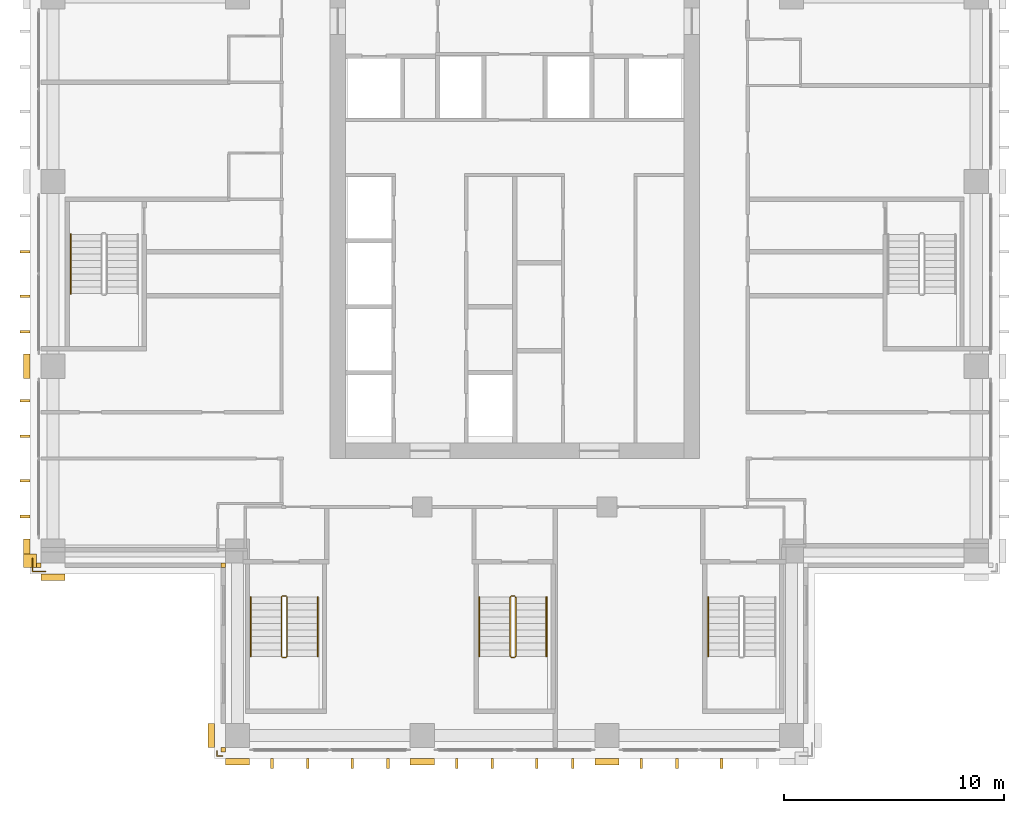
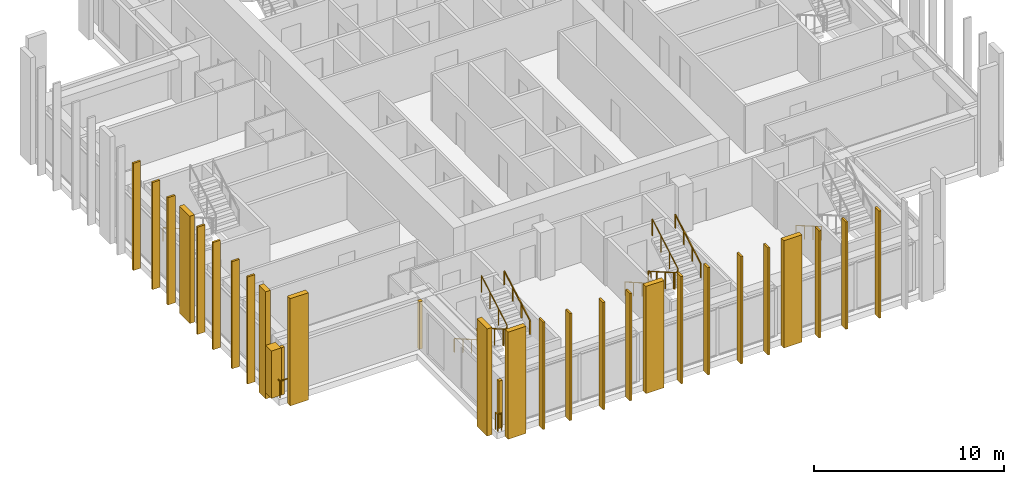
# One storey, part 15 of 17: 29 coverings, 10 railings.
"""IFC4 building model written with IfcOpenShell, lengths in metres."""

import ifcopenshell
import ifcopenshell.guid

model = None  # the IFC model being written
_history = None  # IfcOwnerHistory: only IFC2X3 demands one
_inside = {}  # id of a spatial element -> (the spatial element, [elements in it])
_under = {}  # id of a project, library or spatial element -> (it, [spatial elements below it])
_declared = {}  # id of a project -> (the project, [libraries it declares])
_typed = {}  # id of a type object -> (the type object, [elements of that type])
_made_of = {}  # id of a material, layer set ... -> (it, [elements and type objects made of it])


def new_model(schema):
    """Start an empty IFC model of exactly this schema.

    Asked for "IFC4X3", IfcOpenShell would pick the latest addendum, in which some entities
    have other attributes; the version numbers below select the first issue.
    IFC2X3 requires an IfcOwnerHistory on every rooted entity: one is made here for all.
    """
    global model, _history
    if schema == "IFC4X3":
        model = ifcopenshell.file(schema_version=(4, 3, 0, 0))
    else:
        model = ifcopenshell.file(schema=schema)
    _inside.clear()
    _under.clear()
    _declared.clear()
    _typed.clear()
    _made_of.clear()
    _history = None
    if model.schema == "IFC2X3":
        org = make("IfcOrganization", Name="unknown")
        user = make(
            "IfcPersonAndOrganization",
            ThePerson=make("IfcPerson", FamilyName="unknown"),
            TheOrganization=org,
        )
        app = make(
            "IfcApplication",
            ApplicationDeveloper=org,
            Version="unknown",
            ApplicationFullName="unknown",
            ApplicationIdentifier="unknown",
        )
        _history = make(
            "IfcOwnerHistory",
            OwningUser=user,
            OwningApplication=app,
            ChangeAction="ADDED",
            CreationDate=0,
        )
    return model


def make(cls, **values):
    """One entity of the class cls with the attributes given. An attribute that is None is left unset."""
    return model.create_entity(
        cls, **{name: value for name, value in values.items() if value is not None}
    )


def rooted(cls, **values):
    """An entity with a GlobalId (a new one), such as an element, a storey or a relation."""
    return make(cls, GlobalId=ifcopenshell.guid.new(), OwnerHistory=_history, **values)


def si_unit(unit_type, name, prefix=None):
    """IfcSIUnit, for example si_unit("LENGTHUNIT", "METRE", prefix="MILLI")."""
    return make("IfcSIUnit", UnitType=unit_type, Prefix=prefix, Name=name)


def assignment(units):
    """IfcUnitAssignment: the units of a project."""
    return None if units is None else make("IfcUnitAssignment", Units=units)


def point(xyz):
    """IfcCartesianPoint."""
    return None if xyz is None else make("IfcCartesianPoint", Coordinates=xyz)


def direction(xyz):
    """IfcDirection."""
    return None if xyz is None else make("IfcDirection", DirectionRatios=xyz)


def frame(location, z_axis=None, x_axis=None):
    """IfcAxis2Placement3D, a coordinate frame: its origin and axes. An axis left out is left unset."""
    return make(
        "IfcAxis2Placement3D",
        Location=point(location),
        Axis=direction(z_axis),
        RefDirection=direction(x_axis),
    )


def frame_2d(location, x_axis=None):
    """IfcAxis2Placement2D, a coordinate frame in the plane: its origin and x axis."""
    return make(
        "IfcAxis2Placement2D", Location=point(location), RefDirection=direction(x_axis)
    )


def origin():
    """The frame at (0, 0, 0) with its axes left unset."""
    return frame((0.0, 0.0, 0.0))


def origin_2d():
    """The frame at (0, 0) in the plane with its x axis left unset."""
    return frame_2d((0.0, 0.0))


def place(relative_to, where):
    """IfcLocalPlacement: puts the frame where relative to a parent placement (None: the world)."""
    return make(
        "IfcLocalPlacement", PlacementRelTo=relative_to, RelativePlacement=where
    )


def context(
    kind, dimensions, precision=None, world=None, true_north=None, identifier=None
):
    """IfcGeometricRepresentationContext, for example the 3D "Model" context."""
    return make(
        "IfcGeometricRepresentationContext",
        ContextIdentifier=identifier,
        ContextType=kind,
        CoordinateSpaceDimension=dimensions,
        Precision=precision,
        WorldCoordinateSystem=world,
        TrueNorth=true_north,
    )


def subcontext(parent, identifier, kind, view, scale=None):
    """IfcGeometricRepresentationSubContext, for example "Body" below "Model"."""
    return make(
        "IfcGeometricRepresentationSubContext",
        ContextIdentifier=identifier,
        ContextType=kind,
        ParentContext=parent,
        TargetScale=scale,
        TargetView=view,
    )


def project(units=None, contexts=None):
    """IfcProject with its units and contexts."""
    return rooted(
        "IfcProject",
        Name="project",
        RepresentationContexts=contexts,
        UnitsInContext=assignment(units),
    )


def spatial(cls, under=None, at=None, **own):
    """A site, building, storey or space (cls), placed at a placement, below another one or the project."""
    s = rooted(cls, ObjectPlacement=at, **own)
    if under is not None:
        _under.setdefault(under.id(), (under, []))[1].append(s)
    return s


def polyline(points):
    """IfcPolyline through the points."""
    return make("IfcPolyline", Points=[point(p) for p in points])


def profile(cls, at=None, kind="AREA", **sizes):
    """A parametric profile (cls). Its sizes go by their IFC names, for example OverallWidth=200.0."""
    return make(cls, ProfileType=kind, Position=at, **sizes)


def rectangle(**sizes):
    """IfcRectangleProfileDef."""
    return profile("IfcRectangleProfileDef", **sizes)


def outline(outer, holes=None, kind="AREA"):
    """IfcArbitraryClosedProfileDef: a profile drawn as a closed curve; with holes, ...WithVoids."""
    if holes is None:
        return make("IfcArbitraryClosedProfileDef", ProfileType=kind, OuterCurve=outer)
    return make(
        "IfcArbitraryProfileDefWithVoids",
        ProfileType=kind,
        OuterCurve=outer,
        InnerCurves=holes,
    )


def extrude(swept, where, along, depth):
    """IfcExtrudedAreaSolid: the profile swept, set in the frame where, extruded along a direction by depth."""
    return make(
        "IfcExtrudedAreaSolid",
        SweptArea=swept,
        Position=where,
        ExtrudedDirection=direction(along),
        Depth=depth,
    )


def shape(context_of_items, identifier, shape_type, items):
    """IfcShapeRepresentation: the items that make up one representation, for example the "Body"."""
    return make(
        "IfcShapeRepresentation",
        ContextOfItems=context_of_items,
        RepresentationIdentifier=identifier,
        RepresentationType=shape_type,
        Items=items,
    )


def material(Name=None, Category=None):
    """IfcMaterial."""
    return make("IfcMaterial", Name=Name, Category=Category)


def layer(
    of_material, thickness, ventilated=None, Name=None, Category=None, Priority=None
):
    """IfcMaterialLayer: one layer of a wall or slab, of a material (None: an air gap)."""
    return make(
        "IfcMaterialLayer",
        Material=of_material,
        LayerThickness=thickness,
        IsVentilated=ventilated,
        Name=Name,
        Category=Category,
        Priority=Priority,
    )


def layer_set(layers, Name=None):
    """IfcMaterialLayerSet."""
    return make("IfcMaterialLayerSet", MaterialLayers=layers, LayerSetName=Name)


def made_of(thing, what):
    """Note that an element or type object is made of a material, layer set ...; save() writes the relation."""
    if what is not None:
        _made_of.setdefault(what.id(), (what, []))[1].append(thing)
    return thing


def type_object(cls, material=None, **own):
    """A type object (cls), such as IfcWallType, which elements share."""
    return made_of(rooted(cls, **own), material)


def element(
    cls,
    number,
    at=None,
    inside=None,
    cuts=None,
    type_object=None,
    material=None,
    context=None,
    identifier="Body",
    shape_type=None,
    held_by="IfcProductDefinitionShape",
    body=None,
    shapes=None,
    **own,
):
    """One element of the class cls, such as IfcWall. Its Tag is "e" and its number.

    at: its placement. inside: the storey or other place that contains it. cuts: it is an
    opening in that element (IfcRelVoidsElement). A single representation is given by context,
    identifier, shape_type and body (its items); several are given by shapes. held_by: the class
    of the entity that holds the representations. save() writes the other relations.
    """
    e = rooted(cls, Tag="e%d" % number, ObjectPlacement=at, **own)
    if body is not None:
        shapes = [shape(context, identifier, shape_type, body)]
    if shapes is not None:
        e.Representation = make(held_by, Representations=shapes)
    if inside is not None:
        _inside.setdefault(inside.id(), (inside, []))[1].append(e)
    if cuts is not None:
        rooted(
            "IfcRelVoidsElement", RelatingBuildingElement=cuts, RelatedOpeningElement=e
        )
    if type_object is not None:
        _typed.setdefault(type_object.id(), (type_object, []))[1].append(e)
    return made_of(e, material)


def aggregate(whole, parts):
    """IfcRelAggregates: a whole, such as a stair, and the parts it consists of."""
    return rooted("IfcRelAggregates", RelatingObject=whole, RelatedObjects=parts)


def save(model, path):
    """Write the relations noted so far, then the file.

    IfcRelAggregates (storeys below a building ...), IfcRelContainedInSpatialStructure (elements
    in a storey), IfcRelDefinesByType, IfcRelAssociatesMaterial and IfcRelDeclares: one each for
    every whole, place, type object, material and project.
    """
    for whole, parts in _under.values():
        aggregate(whole, parts)
    for where, things in _inside.values():
        rooted(
            "IfcRelContainedInSpatialStructure",
            RelatedElements=things,
            RelatingStructure=where,
        )
    for kind, things in _typed.values():
        rooted("IfcRelDefinesByType", RelatedObjects=things, RelatingType=kind)
    for what, things in _made_of.values():
        rooted("IfcRelAssociatesMaterial", RelatedObjects=things, RelatingMaterial=what)
    for by, libraries in _declared.values():
        rooted("IfcRelDeclares", RelatingContext=by, RelatedDefinitions=libraries)
    model.write(path)


model = new_model("IFC4")

# Units and contexts
model_context = context("Model", 3, precision=1e-05, world=origin(), true_north=direction((0.0, 1.0)))
body_context = subcontext(model_context, "Body", "Model", "MODEL_VIEW")
ifc_project = project(units=[si_unit("LENGTHUNIT", "METRE"), si_unit("AREAUNIT", "SQUARE_METRE"), si_unit("VOLUMEUNIT", "CUBIC_METRE"), si_unit("PLANEANGLEUNIT", "RADIAN"), si_unit("MASSUNIT", "GRAM", prefix="KILO")], contexts=[model_context])

# Site, building, storey
site_placement = place(None, origin())
site = spatial("IfcSite", under=ifc_project, at=site_placement, CompositionType="ELEMENT")
building_placement = place(site_placement, origin())
building = spatial("IfcBuilding", under=site, at=building_placement, Name="Vermilion Ogive Tower", CompositionType="ELEMENT")
storey_placement = place(building_placement, frame((0.0, 0.0, 157.25)))
storey = spatial("IfcBuildingStorey", under=building, at=storey_placement, Name="L40", CompositionType="ELEMENT", Elevation=157.25)

# Coverings
ifc_material_1 = material(Name="Glazed ceramic screen")
ifc_layer = layer(ifc_material_1, 0.14990234375)
ifc_layer_set = layer_set([ifc_layer], Name="Ceramic solar screen fin")
covering_type_1 = type_object("IfcCoveringType", Name="Ceramic solar screen fin", PredefinedType="CLADDING", material=ifc_layer_set)
covering_1_placement = place(storey_placement, frame((0.0, 0.0, -0.39990234375)))
element("IfcCovering", 1, at=covering_1_placement, inside=storey, type_object=covering_type_1, Name="Solar screen blade S971", PredefinedType="CLADDING", context=body_context, shape_type="SweptSolid", body=[
    extrude(outline(polyline([(-11.097412109375, -22.5), (-10.9775390625, -22.5), (-10.9775390625, -22.050048828125), (-11.097412109375, -22.050048828125), (-11.097412109375, -22.5)])), origin(), (0.0, 0.0, 1.0), 6.89990234375),
])
covering_2_placement = place(storey_placement, frame((0.0, 0.0, -0.39990234375)))
element("IfcCovering", 2, at=covering_2_placement, inside=storey, type_object=covering_type_1, Name="Solar screen blade S972", PredefinedType="CLADDING", context=body_context, shape_type="SweptSolid", body=[
    extrude(outline(polyline([(-9.472412109375, -22.5), (-9.3525390625, -22.5), (-9.3525390625, -22.050048828125), (-9.472412109375, -22.050048828125), (-9.472412109375, -22.5)])), origin(), (0.0, 0.0, 1.0), 6.89990234375),
])
covering_3_placement = place(storey_placement, frame((0.0, 0.0, -0.39990234375)))
element("IfcCovering", 3, at=covering_3_placement, inside=storey, type_object=covering_type_1, Name="Solar screen blade S981", PredefinedType="CLADDING", context=body_context, shape_type="SweptSolid", body=[
    extrude(outline(polyline([(-7.447509765625, -22.5), (-7.327392578125, -22.5), (-7.327392578125, -22.050048828125), (-7.447509765625, -22.050048828125), (-7.447509765625, -22.5)])), origin(), (0.0, 0.0, 1.0), 6.89990234375),
])
covering_4_placement = place(storey_placement, frame((0.0, 0.0, -0.39990234375)))
element("IfcCovering", 4, at=covering_4_placement, inside=storey, type_object=covering_type_1, Name="Solar screen blade S982", PredefinedType="CLADDING", context=body_context, shape_type="SweptSolid", body=[
    extrude(outline(polyline([(-5.822509765625, -22.5), (-5.702392578125, -22.5), (-5.702392578125, -22.050048828125), (-5.822509765625, -22.050048828125), (-5.822509765625, -22.5)])), origin(), (0.0, 0.0, 1.0), 6.89990234375),
])
covering_5_placement = place(storey_placement, frame((0.0, 0.0, -0.39990234375)))
element("IfcCovering", 5, at=covering_5_placement, inside=storey, type_object=covering_type_1, Name="Solar screen blade S991", PredefinedType="CLADDING", context=body_context, shape_type="SweptSolid", body=[
    extrude(outline(polyline([(-2.697509765625, -22.5), (-2.577392578125, -22.5), (-2.577392578125, -22.050048828125), (-2.697509765625, -22.050048828125), (-2.697509765625, -22.5)])), origin(), (0.0, 0.0, 1.0), 6.89990234375),
])
covering_6_placement = place(storey_placement, frame((0.0, 0.0, -0.39990234375)))
element("IfcCovering", 6, at=covering_6_placement, inside=storey, type_object=covering_type_1, Name="Solar screen blade S992", PredefinedType="CLADDING", context=body_context, shape_type="SweptSolid", body=[
    extrude(outline(polyline([(-1.072509765625, -22.5), (-0.952392578125, -22.5), (-0.952392578125, -22.050048828125), (-1.072509765625, -22.050048828125), (-1.072509765625, -22.5)])), origin(), (0.0, 0.0, 1.0), 6.89990234375),
])
covering_7_placement = place(storey_placement, frame((0.0, 0.0, -0.39990234375)))
element("IfcCovering", 7, at=covering_7_placement, inside=storey, type_object=covering_type_1, Name="Solar screen blade S001", PredefinedType="CLADDING", context=body_context, shape_type="SweptSolid", body=[
    extrude(outline(polyline([(0.952392578125, -22.5), (1.072509765625, -22.5), (1.072509765625, -22.050048828125), (0.952392578125, -22.050048828125), (0.952392578125, -22.5)])), origin(), (0.0, 0.0, 1.0), 6.89990234375),
])
covering_8_placement = place(storey_placement, frame((0.0, 0.0, -0.39990234375)))
element("IfcCovering", 8, at=covering_8_placement, inside=storey, type_object=covering_type_1, Name="Solar screen blade S002", PredefinedType="CLADDING", context=body_context, shape_type="SweptSolid", body=[
    extrude(outline(polyline([(2.577392578125, -22.5), (2.697509765625, -22.5), (2.697509765625, -22.050048828125), (2.577392578125, -22.050048828125), (2.577392578125, -22.5)])), origin(), (0.0, 0.0, 1.0), 6.89990234375),
])
covering_9_placement = place(storey_placement, frame((0.0, 0.0, -0.39990234375)))
element("IfcCovering", 9, at=covering_9_placement, inside=storey, type_object=covering_type_1, Name="Solar screen blade S011", PredefinedType="CLADDING", context=body_context, shape_type="SweptSolid", body=[
    extrude(outline(polyline([(5.702392578125, -22.5), (5.822509765625, -22.5), (5.822509765625, -22.050048828125), (5.702392578125, -22.050048828125), (5.702392578125, -22.5)])), origin(), (0.0, 0.0, 1.0), 6.89990234375),
])
covering_10_placement = place(storey_placement, frame((0.0, 0.0, -0.39990234375)))
element("IfcCovering", 10, at=covering_10_placement, inside=storey, type_object=covering_type_1, Name="Solar screen blade S012", PredefinedType="CLADDING", context=body_context, shape_type="SweptSolid", body=[
    extrude(outline(polyline([(7.327392578125, -22.5), (7.447509765625, -22.5), (7.447509765625, -22.050048828125), (7.327392578125, -22.050048828125), (7.327392578125, -22.5)])), origin(), (0.0, 0.0, 1.0), 6.89990234375),
])
covering_11_placement = place(storey_placement, frame((0.0, 0.0, -0.39990234375)))
element("IfcCovering", 11, at=covering_11_placement, inside=storey, type_object=covering_type_1, Name="Solar screen blade S021", PredefinedType="CLADDING", context=body_context, shape_type="SweptSolid", body=[
    extrude(outline(polyline([(9.3525390625, -22.5), (9.472412109375, -22.5), (9.472412109375, -22.050048828125), (9.3525390625, -22.050048828125), (9.3525390625, -22.5)])), origin(), (0.0, 0.0, 1.0), 6.89990234375),
])
covering_12_placement = place(storey_placement, frame((0.0, 0.0, -0.39990234375)))
element("IfcCovering", 12, at=covering_12_placement, inside=storey, type_object=covering_type_1, Name="Solar screen blade W991", PredefinedType="CLADDING", context=body_context, shape_type="SweptSolid", body=[
    extrude(outline(polyline([(-22.5, -0.952392578125), (-22.5, -1.072509765625), (-22.050048828125, -1.072509765625), (-22.050048828125, -0.952392578125), (-22.5, -0.952392578125)])), origin(), (0.0, 0.0, 1.0), 6.89990234375),
])
covering_13_placement = place(storey_placement, frame((0.0, 0.0, -0.39990234375)))
element("IfcCovering", 13, at=covering_13_placement, inside=storey, type_object=covering_type_1, Name="Solar screen blade W992", PredefinedType="CLADDING", context=body_context, shape_type="SweptSolid", body=[
    extrude(outline(polyline([(-22.5, -2.577392578125), (-22.5, -2.697509765625), (-22.050048828125, -2.697509765625), (-22.050048828125, -2.577392578125), (-22.5, -2.577392578125)])), origin(), (0.0, 0.0, 1.0), 6.89990234375),
])
covering_14_placement = place(storey_placement, frame((0.0, 0.0, -0.39990234375)))
element("IfcCovering", 14, at=covering_14_placement, inside=storey, type_object=covering_type_1, Name="Solar screen blade W002", PredefinedType="CLADDING", context=body_context, shape_type="SweptSolid", body=[
    extrude(outline(polyline([(-22.5, 1.072509765625), (-22.5, 0.952392578125), (-22.050048828125, 0.952392578125), (-22.050048828125, 1.072509765625), (-22.5, 1.072509765625)])), origin(), (0.0, 0.0, 1.0), 6.89990234375),
])
covering_15_placement = place(storey_placement, frame((0.0, 0.0, -0.39990234375)))
element("IfcCovering", 15, at=covering_15_placement, inside=storey, type_object=covering_type_1, Name="Solar screen blade W971", PredefinedType="CLADDING", context=body_context, shape_type="SweptSolid", body=[
    extrude(outline(polyline([(-22.5, -9.3525390625), (-22.5, -9.472412109375), (-22.050048828125, -9.472412109375), (-22.050048828125, -9.3525390625), (-22.5, -9.3525390625)])), origin(), (0.0, 0.0, 1.0), 6.89990234375),
])
covering_16_placement = place(storey_placement, frame((0.0, 0.0, -0.39990234375)))
element("IfcCovering", 16, at=covering_16_placement, inside=storey, type_object=covering_type_1, Name="Solar screen blade W972", PredefinedType="CLADDING", context=body_context, shape_type="SweptSolid", body=[
    extrude(outline(polyline([(-22.5, -10.9775390625), (-22.5, -11.097412109375), (-22.050048828125, -11.097412109375), (-22.050048828125, -10.9775390625), (-22.5, -10.9775390625)])), origin(), (0.0, 0.0, 1.0), 6.89990234375),
])
covering_17_placement = place(storey_placement, frame((0.0, 0.0, -0.39990234375)))
element("IfcCovering", 17, at=covering_17_placement, inside=storey, type_object=covering_type_1, Name="Solar screen blade W981", PredefinedType="CLADDING", context=body_context, shape_type="SweptSolid", body=[
    extrude(outline(polyline([(-22.5, -5.702392578125), (-22.5, -5.822509765625), (-22.050048828125, -5.822509765625), (-22.050048828125, -5.702392578125), (-22.5, -5.702392578125)])), origin(), (0.0, 0.0, 1.0), 6.89990234375),
])
covering_18_placement = place(storey_placement, frame((0.0, 0.0, -0.39990234375)))
element("IfcCovering", 18, at=covering_18_placement, inside=storey, type_object=covering_type_1, Name="Solar screen blade W982", PredefinedType="CLADDING", context=body_context, shape_type="SweptSolid", body=[
    extrude(outline(polyline([(-22.5, -7.327392578125), (-22.5, -7.447509765625), (-22.050048828125, -7.447509765625), (-22.050048828125, -7.327392578125), (-22.5, -7.327392578125)])), origin(), (0.0, 0.0, 1.0), 6.89990234375),
])

# Railings
ifc_material_2 = material(Name="Stainless steel", Category="steel")
railing_type_1 = type_object("IfcRailingType", Name="Slab edge guard SG1", PredefinedType="GUARDRAIL", material=ifc_material_2)
railing_1_placement = place(storey_placement, frame((-13.300048828125, -21.929931640625, 0.0)))
element("IfcRailing", 19, at=railing_1_placement, inside=storey, type_object=railing_type_1, Name="L40 slab corner guard", PredefinedType="GUARDRAIL", context=body_context, shape_type="SweptSolid", body=[
    extrude(rectangle(XDim=0.050048828125, YDim=0.050048828125, at=origin_2d()), frame((0.0, 0.0, 1.0751953125), z_axis=(-1.0, 0.0, 0.0), x_axis=(0.0, -1.0, 0.0)), (0.0, 0.0, 1.0), 0.22998046875),
    extrude(rectangle(XDim=0.050048828125, YDim=0.050048828125, at=origin_2d()), frame((-0.22998046875, 0.0, 1.0751953125), z_axis=(0.0, 1.0, 0.0), x_axis=(-1.0, 0.0, 0.0)), (0.0, 0.0, 1.0), 0.22998046875),
    extrude(rectangle(XDim=0.050048828125, YDim=0.050048828125, at=origin_2d()), origin(), (0.0, 0.0, 1.0), 1.050048828125),
    extrude(rectangle(XDim=0.050048828125, YDim=0.050048828125, at=origin_2d()), frame((-0.22998046875, 0.0, 0.0)), (0.0, 0.0, 1.0), 1.050048828125),
    extrude(rectangle(XDim=0.050048828125, YDim=0.050048828125, at=origin_2d()), frame((-0.22998046875, 0.22998046875, 0.0)), (0.0, 0.0, 1.0), 1.050048828125),
])
railing_2_placement = place(storey_placement, frame((-21.929931640625, -12.949951171875, 0.0)))
element("IfcRailing", 20, at=railing_2_placement, inside=storey, type_object=railing_type_1, Name="L40 slab corner guard", PredefinedType="GUARDRAIL", context=body_context, shape_type="SweptSolid", body=[
    extrude(rectangle(XDim=0.050048828125, YDim=0.050048828125, at=origin_2d()), frame((0.0, 0.0, 1.0751953125), z_axis=(0.0, -1.0, 0.0), x_axis=(1.0, 0.0, 0.0)), (0.0, 0.0, 1.0), 0.580078125),
    extrude(rectangle(XDim=0.050048828125, YDim=0.050048828125, at=origin_2d()), frame((0.0, -0.580078125, 1.0751953125), z_axis=(1.0, 0.0, 0.0), x_axis=(0.0, 1.0, 0.0)), (0.0, 0.0, 1.0), 0.579833984375),
    extrude(rectangle(XDim=0.050048828125, YDim=0.050048828125, at=origin_2d()), origin(), (0.0, 0.0, 1.0), 1.050048828125),
    extrude(rectangle(XDim=0.050048828125, YDim=0.050048828125, at=origin_2d()), frame((0.0, -0.580078125, 0.0)), (0.0, 0.0, 1.0), 1.050048828125),
    extrude(rectangle(XDim=0.050048828125, YDim=0.050048828125, at=origin_2d()), frame((0.579833984375, -0.580078125, 0.0)), (0.0, 0.0, 1.0), 1.050048828125),
])
ifc_material_3 = material(Name="Steel S355 painted", Category="steel")
railing_type_2 = type_object("IfcRailingType", Name="Stair guard 1100", PredefinedType="GUARDRAIL", material=ifc_material_3)
railing_3_placement = place(storey_placement, frame((-10.39990234375, -14.64990234375, 0.0)))
element("IfcRailing", 21, at=railing_3_placement, inside=storey, type_object=railing_type_2, Name="L40 ST3 stair guard 4", PredefinedType="GUARDRAIL", context=body_context, shape_type="SweptSolid", body=[
    extrude(rectangle(XDim=0.048095703125, YDim=0.048095703125, at=origin_2d()), frame((0.0, 0.0, 1.076171875), z_axis=(-1.0, 0.0, 0.0), x_axis=(0.0, -1.0, 0.0)), (0.0, 0.0, 1.0), 0.150146484375),
    extrude(rectangle(XDim=0.048095703125, YDim=0.048095703125, at=origin_2d()), frame((-0.150146484375, 0.0, 1.076171875), z_axis=(-0.268277960024, -0.268277960024, 0.925231793839), x_axis=(0.707106781187, -0.707106781187, 0.0)), (0.0, 0.0, 1.0), 0.1865234375),
    extrude(rectangle(XDim=0.048095703125, YDim=0.048095703125, at=origin_2d()), frame((-0.2001953125, -0.050048828125, 1.24853515625), z_axis=(0.0, -0.866903762492, 0.498475542607), x_axis=(1.0, 0.0, 0.0)), (0.0, 0.0, 1.0), 3.114501953125),
    extrude(rectangle(XDim=0.048095703125, YDim=0.048095703125, at=origin_2d()), frame((-0.2001953125, -2.75, 2.80126953125), z_axis=(0.707106781187, -0.707106781187, 0.0), x_axis=(0.707106781187, 0.707106781187, 0.0)), (0.0, 0.0, 1.0), 0.07080078125),
    extrude(rectangle(XDim=0.048095703125, YDim=0.048095703125, at=origin_2d()), frame((-0.150146484375, -2.800048828125, 2.80126953125), z_axis=(1.0, 0.0, 0.0), x_axis=(0.0, 1.0, 0.0)), (0.0, 0.0, 1.0), 0.150146484375),
    extrude(rectangle(XDim=0.048095703125, YDim=0.048095703125, at=origin_2d()), frame((0.0, -2.800048828125, 2.80126953125), z_axis=(0.267386790225, 0.268697509785, 0.925368009307), x_axis=(-0.708833529934, 0.705375805398, 0.0)), (0.0, 0.0, 1.0), 0.186279296875),
    extrude(rectangle(XDim=0.048095703125, YDim=0.048095703125, at=origin_2d()), frame((0.0498046875, -2.75, 2.9736328125), z_axis=(0.0, 0.866903762492, 0.498475542607), x_axis=(-1.0, 0.0, 0.0)), (0.0, 0.0, 1.0), 3.114501953125),
    extrude(rectangle(XDim=0.0419921875, YDim=0.0419921875, at=origin_2d()), origin(), (0.0, 0.0, 1.0), 1.052001953125),
    extrude(rectangle(XDim=0.0419921875, YDim=0.0419921875, at=origin_2d()), frame((-0.150146484375, 0.0, 0.0)), (0.0, 0.0, 1.0), 1.052001953125),
    extrude(rectangle(XDim=0.0419921875, YDim=0.0419921875, at=origin_2d()), frame((-0.2001953125, -0.050048828125, 0.172607421875)), (0.0, 0.0, 1.0), 1.052001953125),
    extrude(rectangle(XDim=0.0419921875, YDim=0.0419921875, at=origin_2d()), frame((-0.2001953125, -0.949951171875, 0.690185546875)), (0.0, 0.0, 1.0), 1.052001953125),
    extrude(rectangle(XDim=0.0419921875, YDim=0.0419921875, at=origin_2d()), frame((-0.2001953125, -1.85009765625, 1.20751953125)), (0.0, 0.0, 1.0), 1.052001953125),
    extrude(rectangle(XDim=0.0419921875, YDim=0.0419921875, at=origin_2d()), frame((-0.2001953125, -2.75, 1.72509765625)), (0.0, 0.0, 1.0), 1.052001953125),
    extrude(rectangle(XDim=0.0419921875, YDim=0.0419921875, at=origin_2d()), frame((-0.150146484375, -2.800048828125, 1.72509765625)), (0.0, 0.0, 1.0), 1.052001953125),
    extrude(rectangle(XDim=0.0419921875, YDim=0.0419921875, at=origin_2d()), frame((0.0, -2.800048828125, 1.72509765625)), (0.0, 0.0, 1.0), 1.052001953125),
    extrude(rectangle(XDim=0.0419921875, YDim=0.0419921875, at=origin_2d()), frame((0.0498046875, -2.75, 1.8974609375)), (0.0, 0.0, 1.0), 1.052001953125),
    extrude(rectangle(XDim=0.0419921875, YDim=0.0419921875, at=origin_2d()), frame((0.0498046875, -1.85009765625, 2.4150390625)), (0.0, 0.0, 1.0), 1.052001953125),
    extrude(rectangle(XDim=0.0419921875, YDim=0.0419921875, at=origin_2d()), frame((0.0498046875, -0.949951171875, 2.932373046875)), (0.0, 0.0, 1.0), 1.052001953125),
    extrude(rectangle(XDim=0.0419921875, YDim=0.0419921875, at=origin_2d()), frame((0.0498046875, -0.050048828125, 3.449951171875)), (0.0, 0.0, 1.0), 1.052001953125),
])
railing_4_placement = place(storey_placement, frame((0.0, -14.64990234375, 0.0)))
element("IfcRailing", 22, at=railing_4_placement, inside=storey, type_object=railing_type_2, Name="L40 ST4 stair guard 4", PredefinedType="GUARDRAIL", context=body_context, shape_type="SweptSolid", body=[
    extrude(rectangle(XDim=0.048095703125, YDim=0.048095703125, at=origin_2d()), frame((0.0, 0.0, 1.076171875), z_axis=(-1.0, 0.0, 0.0), x_axis=(0.0, -1.0, 0.0)), (0.0, 0.0, 1.0), 0.14990234375),
    extrude(rectangle(XDim=0.048095703125, YDim=0.048095703125, at=origin_2d()), frame((-0.14990234375, 0.0, 1.076171875), z_axis=(-0.268277960024, -0.268277960024, 0.925231793839), x_axis=(0.707106781187, -0.707106781187, 0.0)), (0.0, 0.0, 1.0), 0.1865234375),
    extrude(rectangle(XDim=0.048095703125, YDim=0.048095703125, at=origin_2d()), frame((-0.199951171875, -0.050048828125, 1.24853515625), z_axis=(0.0, -0.866903762492, 0.498475542607), x_axis=(1.0, 0.0, 0.0)), (0.0, 0.0, 1.0), 3.114501953125),
    extrude(rectangle(XDim=0.048095703125, YDim=0.048095703125, at=origin_2d()), frame((-0.199951171875, -2.75, 2.80126953125), z_axis=(0.707106781187, -0.707106781187, 0.0), x_axis=(0.707106781187, 0.707106781187, 0.0)), (0.0, 0.0, 1.0), 0.07080078125),
    extrude(rectangle(XDim=0.048095703125, YDim=0.048095703125, at=origin_2d()), frame((-0.14990234375, -2.800048828125, 2.80126953125), z_axis=(1.0, 0.0, 0.0), x_axis=(0.0, 1.0, 0.0)), (0.0, 0.0, 1.0), 0.14990234375),
    extrude(rectangle(XDim=0.048095703125, YDim=0.048095703125, at=origin_2d()), frame((0.0, -2.800048828125, 2.80126953125), z_axis=(0.268603158521, 0.268603158521, 0.925043072762), x_axis=(-0.707106781187, 0.707106781187, 0.0)), (0.0, 0.0, 1.0), 0.186279296875),
    extrude(rectangle(XDim=0.048095703125, YDim=0.048095703125, at=origin_2d()), frame((0.050048828125, -2.75, 2.9736328125), z_axis=(0.0, 0.866903762492, 0.498475542607), x_axis=(-1.0, 0.0, 0.0)), (0.0, 0.0, 1.0), 3.114501953125),
    extrude(rectangle(XDim=0.0419921875, YDim=0.0419921875, at=origin_2d()), origin(), (0.0, 0.0, 1.0), 1.052001953125),
    extrude(rectangle(XDim=0.0419921875, YDim=0.0419921875, at=origin_2d()), frame((-0.14990234375, 0.0, 0.0)), (0.0, 0.0, 1.0), 1.052001953125),
    extrude(rectangle(XDim=0.0419921875, YDim=0.0419921875, at=origin_2d()), frame((-0.199951171875, -0.050048828125, 0.172607421875)), (0.0, 0.0, 1.0), 1.052001953125),
    extrude(rectangle(XDim=0.0419921875, YDim=0.0419921875, at=origin_2d()), frame((-0.199951171875, -0.949951171875, 0.690185546875)), (0.0, 0.0, 1.0), 1.052001953125),
    extrude(rectangle(XDim=0.0419921875, YDim=0.0419921875, at=origin_2d()), frame((-0.199951171875, -1.85009765625, 1.20751953125)), (0.0, 0.0, 1.0), 1.052001953125),
    extrude(rectangle(XDim=0.0419921875, YDim=0.0419921875, at=origin_2d()), frame((-0.199951171875, -2.75, 1.72509765625)), (0.0, 0.0, 1.0), 1.052001953125),
    extrude(rectangle(XDim=0.0419921875, YDim=0.0419921875, at=origin_2d()), frame((-0.14990234375, -2.800048828125, 1.72509765625)), (0.0, 0.0, 1.0), 1.052001953125),
    extrude(rectangle(XDim=0.0419921875, YDim=0.0419921875, at=origin_2d()), frame((0.0, -2.800048828125, 1.72509765625)), (0.0, 0.0, 1.0), 1.052001953125),
    extrude(rectangle(XDim=0.0419921875, YDim=0.0419921875, at=origin_2d()), frame((0.050048828125, -2.75, 1.8974609375)), (0.0, 0.0, 1.0), 1.052001953125),
    extrude(rectangle(XDim=0.0419921875, YDim=0.0419921875, at=origin_2d()), frame((0.050048828125, -1.85009765625, 2.4150390625)), (0.0, 0.0, 1.0), 1.052001953125),
    extrude(rectangle(XDim=0.0419921875, YDim=0.0419921875, at=origin_2d()), frame((0.050048828125, -0.949951171875, 2.932373046875)), (0.0, 0.0, 1.0), 1.052001953125),
    extrude(rectangle(XDim=0.0419921875, YDim=0.0419921875, at=origin_2d()), frame((0.050048828125, -0.050048828125, 3.449951171875)), (0.0, 0.0, 1.0), 1.052001953125),
])
ifc_material_4 = material(Name="Stainless steel", Category="steel")
railing_type_3 = type_object("IfcRailingType", Name="Stair handrail 900", PredefinedType="HANDRAIL", material=ifc_material_4)
railing_5_placement = place(storey_placement, frame((-12.0, -14.699951171875, 0.172607421875)))
element("IfcRailing", 23, at=railing_5_placement, inside=storey, type_object=railing_type_3, Name="L40 ST3 stair handrail 1", PredefinedType="HANDRAIL", context=body_context, shape_type="SweptSolid", body=[
    extrude(rectangle(XDim=0.048095703125, YDim=0.048095703125, at=origin_2d()), frame((0.0, 0.0, 0.8759765625), z_axis=(0.0, -0.866903762492, 0.498475542607), x_axis=(1.0, 0.0, 0.0)), (0.0, 0.0, 1.0), 3.114501953125),
    extrude(rectangle(XDim=0.0419921875, YDim=0.0419921875, at=origin_2d()), origin(), (0.0, 0.0, 1.0), 0.851806640625),
    extrude(rectangle(XDim=0.0419921875, YDim=0.0419921875, at=origin_2d()), frame((0.0, -0.89990234375, 0.517578125)), (0.0, 0.0, 1.0), 0.851806640625),
    extrude(rectangle(XDim=0.0419921875, YDim=0.0419921875, at=origin_2d()), frame((0.0, -1.800048828125, 1.034912109375)), (0.0, 0.0, 1.0), 0.851806640625),
    extrude(rectangle(XDim=0.0419921875, YDim=0.0419921875, at=origin_2d()), frame((0.0, -2.699951171875, 1.552490234375)), (0.0, 0.0, 1.0), 0.851806640625),
])
railing_6_placement = place(storey_placement, frame((-8.949951171875, -17.39990234375, 1.8974609375)))
element("IfcRailing", 24, at=railing_6_placement, inside=storey, type_object=railing_type_3, Name="L40 ST3 stair handrail 2", PredefinedType="HANDRAIL", context=body_context, shape_type="SweptSolid", body=[
    extrude(rectangle(XDim=0.048095703125, YDim=0.048095703125, at=origin_2d()), frame((0.0, 0.0, 0.8759765625), z_axis=(0.0, 0.866903762492, 0.498475542607), x_axis=(-1.0, 0.0, 0.0)), (0.0, 0.0, 1.0), 3.114501953125),
    extrude(rectangle(XDim=0.0419921875, YDim=0.0419921875, at=origin_2d()), origin(), (0.0, 0.0, 1.0), 0.851806640625),
    extrude(rectangle(XDim=0.0419921875, YDim=0.0419921875, at=origin_2d()), frame((0.0, 0.89990234375, 0.517578125)), (0.0, 0.0, 1.0), 0.851806640625),
    extrude(rectangle(XDim=0.0419921875, YDim=0.0419921875, at=origin_2d()), frame((0.0, 1.800048828125, 1.034912109375)), (0.0, 0.0, 1.0), 0.851806640625),
    extrude(rectangle(XDim=0.0419921875, YDim=0.0419921875, at=origin_2d()), frame((0.0, 2.699951171875, 1.552490234375)), (0.0, 0.0, 1.0), 0.851806640625),
])
railing_7_placement = place(storey_placement, frame((-1.60009765625, -14.699951171875, 0.172607421875)))
element("IfcRailing", 25, at=railing_7_placement, inside=storey, type_object=railing_type_3, Name="L40 ST4 stair handrail 1", PredefinedType="HANDRAIL", context=body_context, shape_type="SweptSolid", body=[
    extrude(rectangle(XDim=0.048095703125, YDim=0.048095703125, at=origin_2d()), frame((0.0, 0.0, 0.8759765625), z_axis=(0.0, -0.866903762492, 0.498475542607), x_axis=(1.0, 0.0, 0.0)), (0.0, 0.0, 1.0), 3.114501953125),
    extrude(rectangle(XDim=0.0419921875, YDim=0.0419921875, at=origin_2d()), origin(), (0.0, 0.0, 1.0), 0.851806640625),
    extrude(rectangle(XDim=0.0419921875, YDim=0.0419921875, at=origin_2d()), frame((0.0, -0.89990234375, 0.517578125)), (0.0, 0.0, 1.0), 0.851806640625),
    extrude(rectangle(XDim=0.0419921875, YDim=0.0419921875, at=origin_2d()), frame((0.0, -1.800048828125, 1.034912109375)), (0.0, 0.0, 1.0), 0.851806640625),
    extrude(rectangle(XDim=0.0419921875, YDim=0.0419921875, at=origin_2d()), frame((0.0, -2.699951171875, 1.552490234375)), (0.0, 0.0, 1.0), 0.851806640625),
])
railing_8_placement = place(storey_placement, frame((1.449951171875, -17.39990234375, 1.8974609375)))
element("IfcRailing", 26, at=railing_8_placement, inside=storey, type_object=railing_type_3, Name="L40 ST4 stair handrail 2", PredefinedType="HANDRAIL", context=body_context, shape_type="SweptSolid", body=[
    extrude(rectangle(XDim=0.048095703125, YDim=0.048095703125, at=origin_2d()), frame((0.0, 0.0, 0.8759765625), z_axis=(0.0, 0.866903762492, 0.498475542607), x_axis=(-1.0, 0.0, 0.0)), (0.0, 0.0, 1.0), 3.114501953125),
    extrude(rectangle(XDim=0.0419921875, YDim=0.0419921875, at=origin_2d()), origin(), (0.0, 0.0, 1.0), 0.851806640625),
    extrude(rectangle(XDim=0.0419921875, YDim=0.0419921875, at=origin_2d()), frame((0.0, 0.89990234375, 0.517578125)), (0.0, 0.0, 1.0), 0.851806640625),
    extrude(rectangle(XDim=0.0419921875, YDim=0.0419921875, at=origin_2d()), frame((0.0, 1.800048828125, 1.034912109375)), (0.0, 0.0, 1.0), 0.851806640625),
    extrude(rectangle(XDim=0.0419921875, YDim=0.0419921875, at=origin_2d()), frame((0.0, 2.699951171875, 1.552490234375)), (0.0, 0.0, 1.0), 0.851806640625),
])
for number, where, name in (
    (27, (8.800048828125, -14.699951171875, 0.172607421875), "L40 ST5 stair handrail 1"),
    (28, (-20.199951171875, 1.800048828125, 0.172607421875), "L40 ST9 stair handrail 1"),
):
    element("IfcRailing", number, at=place(storey_placement, frame(where)), inside=storey, type_object=railing_type_3, Name=name, PredefinedType="HANDRAIL", context=body_context, shape_type="SweptSolid", body=[
        extrude(rectangle(XDim=0.048095703125, YDim=0.048095703125, at=origin_2d()), frame((0.0, 0.0, 0.8759765625), z_axis=(0.0, -0.866903762492, 0.498475542607), x_axis=(1.0, 0.0, 0.0)), (0.0, 0.0, 1.0), 3.114501953125),
        extrude(rectangle(XDim=0.0419921875, YDim=0.0419921875, at=origin_2d()), origin(), (0.0, 0.0, 1.0), 0.851806640625),
        extrude(rectangle(XDim=0.0419921875, YDim=0.0419921875, at=origin_2d()), frame((0.0, -0.89990234375, 0.517578125)), (0.0, 0.0, 1.0), 0.851806640625),
        extrude(rectangle(XDim=0.0419921875, YDim=0.0419921875, at=origin_2d()), frame((0.0, -1.800048828125, 1.034912109375)), (0.0, 0.0, 1.0), 0.851806640625),
        extrude(rectangle(XDim=0.0419921875, YDim=0.0419921875, at=origin_2d()), frame((0.0, -2.699951171875, 1.552490234375)), (0.0, 0.0, 1.0), 0.851806640625),
    ])

# Coverings
ifc_material_5 = material(Name="Stone cladding", Category="masonry")
covering_type_2 = type_object("IfcCoveringType", Name="Stone corner buttress", PredefinedType="CLADDING", material=ifc_material_5)
covering_19_placement = place(storey_placement, origin())
element("IfcCovering", 29, at=covering_19_placement, inside=storey, type_object=covering_type_2, Name="Stone crease pier WK", PredefinedType="CLADDING", context=body_context, shape_type="SweptSolid", body=[
    extrude(outline(polyline([(-22.35009765625, -12.75), (-22.35009765625, -13.35009765625), (-21.75, -13.35009765625), (-21.75, -12.75), (-22.35009765625, -12.75)])), origin(), (0.0, 0.0, 1.0), 3.050048828125),
])
ifc_material_6 = material(Name="Stone cladding", Category="masonry")
covering_type_3 = type_object("IfcCoveringType", Name="Stone pier", PredefinedType="CLADDING", material=ifc_material_6)
covering_20_placement = place(storey_placement, origin())
element("IfcCovering", 30, at=covering_20_placement, inside=storey, type_object=covering_type_3, Name="Stone corner pier WE1", PredefinedType="CLADDING", context=body_context, shape_type="SweptSolid", body=[
    extrude(outline(polyline([(-21.75, -13.14990234375), (-21.550048828125, -13.14990234375), (-21.550048828125, -13.35009765625), (-21.75, -13.35009765625), (-21.75, -13.14990234375)])), origin(), (0.0, 0.0, 1.0), 3.050048828125),
])
covering_21_placement = place(storey_placement, origin())
element("IfcCovering", 31, at=covering_21_placement, inside=storey, type_object=covering_type_3, Name="Stone corner pier X7E1", PredefinedType="CLADDING", context=body_context, shape_type="SweptSolid", body=[
    extrude(outline(polyline([(-13.14990234375, -13.14990234375), (-13.14990234375, -13.35009765625), (-13.35009765625, -13.35009765625), (-13.35009765625, -13.14990234375), (-13.14990234375, -13.14990234375)])), origin(), (0.0, 0.0, 1.0), 3.050048828125),
])
covering_22_placement = place(storey_placement, origin())
element("IfcCovering", 32, at=covering_22_placement, inside=storey, type_object=covering_type_3, Name="Stone corner pier X8E1", PredefinedType="CLADDING", context=body_context, shape_type="SweptSolid", body=[
    extrude(outline(polyline([(-13.35009765625, -21.550048828125), (-13.14990234375, -21.550048828125), (-13.14990234375, -21.75), (-13.35009765625, -21.75), (-13.35009765625, -21.550048828125)])), origin(), (0.0, 0.0, 1.0), 3.050048828125),
])
covering_23_placement = place(storey_placement, frame((0.0, 0.0, -0.39990234375)))
element("IfcCovering", 33, at=covering_23_placement, inside=storey, type_object=covering_type_3, Name="Stone pier P+0042-210", PredefinedType="CLADDING", context=body_context, shape_type="SweptSolid", body=[
    extrude(outline(polyline([(4.75, -22.35009765625), (3.64990234375, -22.35009765625), (3.64990234375, -22.050048828125), (4.75, -22.050048828125), (4.75, -22.35009765625)])), origin(), (0.0, 0.0, 1.0), 6.89990234375),
])
covering_24_placement = place(storey_placement, frame((0.0, 0.0, -0.39990234375)))
element("IfcCovering", 34, at=covering_24_placement, inside=storey, type_object=covering_type_3, Name="Stone pier P-0042-210", PredefinedType="CLADDING", context=body_context, shape_type="SweptSolid", body=[
    extrude(outline(polyline([(-3.64990234375, -22.35009765625), (-4.75, -22.35009765625), (-4.75, -22.050048828125), (-3.64990234375, -22.050048828125), (-3.64990234375, -22.35009765625)])), origin(), (0.0, 0.0, 1.0), 6.89990234375),
])
covering_25_placement = place(storey_placement, frame((0.0, 0.0, -0.39990234375)))
element("IfcCovering", 35, at=covering_25_placement, inside=storey, type_object=covering_type_3, Name="Stone pier P-0126-210S", PredefinedType="CLADDING", context=body_context, shape_type="SweptSolid", body=[
    extrude(outline(polyline([(-12.050048828125, -22.35009765625), (-13.14990234375, -22.35009765625), (-13.14990234375, -22.050048828125), (-12.050048828125, -22.050048828125), (-12.050048828125, -22.35009765625)])), origin(), (0.0, 0.0, 1.0), 6.89990234375),
])
covering_26_placement = place(storey_placement, frame((0.0, 0.0, -0.39990234375)))
element("IfcCovering", 36, at=covering_26_placement, inside=storey, type_object=covering_type_3, Name="Stone pier P-0126-210X8", PredefinedType="CLADDING", context=body_context, shape_type="SweptSolid", body=[
    extrude(outline(polyline([(-13.949951171875, -20.449951171875), (-13.64990234375, -20.449951171875), (-13.64990234375, -21.550048828125), (-13.949951171875, -21.550048828125), (-13.949951171875, -20.449951171875)])), origin(), (0.0, 0.0, 1.0), 6.89990234375),
])
covering_27_placement = place(storey_placement, frame((0.0, 0.0, -0.39990234375)))
element("IfcCovering", 37, at=covering_27_placement, inside=storey, type_object=covering_type_3, Name="Stone pier P-0210-042", PredefinedType="CLADDING", context=body_context, shape_type="SweptSolid", body=[
    extrude(outline(polyline([(-22.35009765625, -4.75), (-22.35009765625, -3.64990234375), (-22.050048828125, -3.64990234375), (-22.050048828125, -4.75), (-22.35009765625, -4.75)])), origin(), (0.0, 0.0, 1.0), 6.89990234375),
])
covering_28_placement = place(storey_placement, frame((0.0, 0.0, -0.39990234375)))
element("IfcCovering", 38, at=covering_28_placement, inside=storey, type_object=covering_type_3, Name="Stone pier P-0210-126W", PredefinedType="CLADDING", context=body_context, shape_type="SweptSolid", body=[
    extrude(outline(polyline([(-22.35009765625, -12.050048828125), (-22.050048828125, -12.050048828125), (-22.050048828125, -12.75), (-22.35009765625, -12.75), (-22.35009765625, -12.050048828125)])), origin(), (0.0, 0.0, 1.0), 6.89990234375),
])
covering_29_placement = place(storey_placement, frame((0.0, 0.0, -0.39990234375)))
element("IfcCovering", 39, at=covering_29_placement, inside=storey, type_object=covering_type_3, Name="Stone pier P-0210-126X7", PredefinedType="CLADDING", context=body_context, shape_type="SweptSolid", body=[
    extrude(outline(polyline([(-21.550048828125, -13.949951171875), (-21.550048828125, -13.64990234375), (-20.449951171875, -13.64990234375), (-20.449951171875, -13.949951171875), (-21.550048828125, -13.949951171875)])), origin(), (0.0, 0.0, 1.0), 6.89990234375),
])

save(model, "model.ifc")
